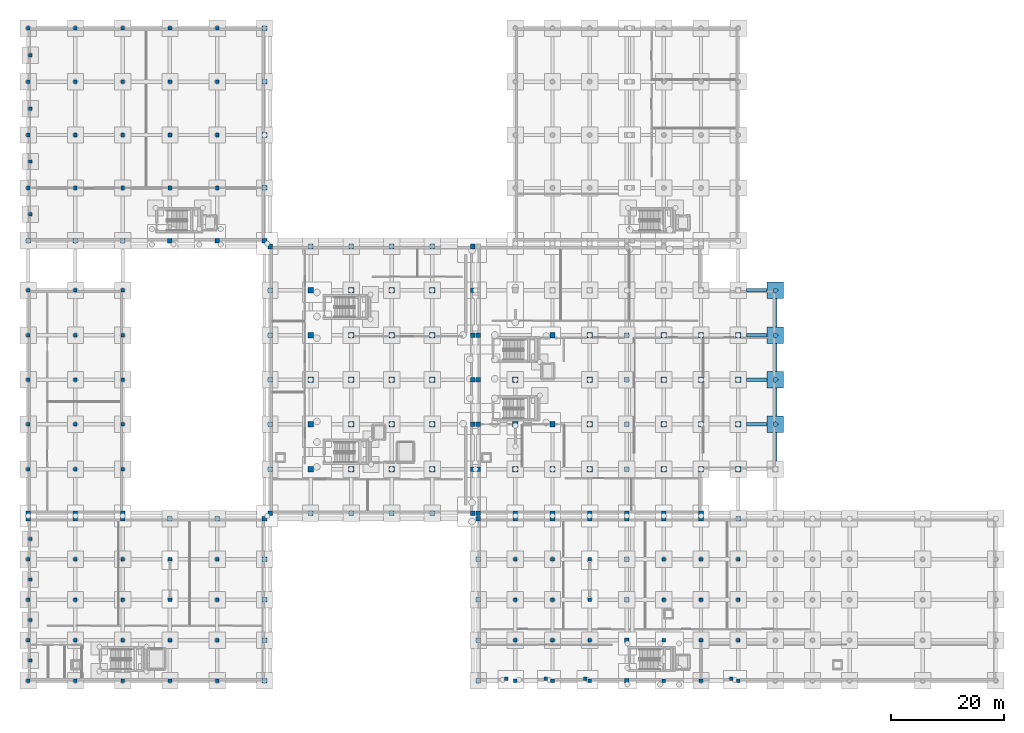
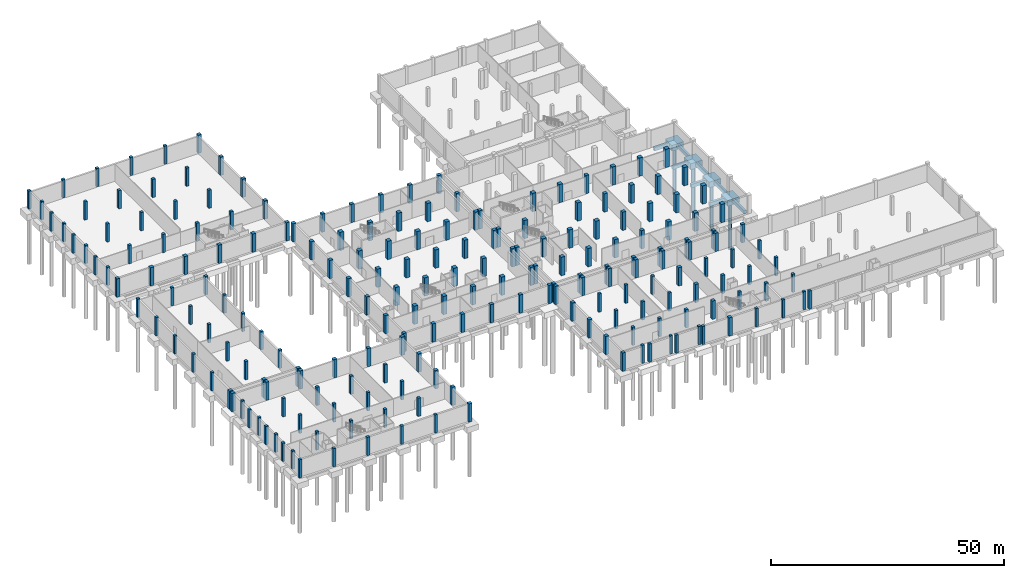
# One storey, part 12 of 29: 209 columns, 12 footings, 4 piles.
"""IFC4 building model written with IfcOpenShell, lengths in metres."""

from ifc_helpers import new_model, si_unit, direction, frame, origin, origin_2d, place, context, subcontext, project, spatial, polyline, rectangle, circle, outline, extrude, material, material_profile, profile_set, type_object, element, save


model = new_model("IFC4")

# Units and contexts
model_context = context("Model", 3, precision=1e-05, world=origin(), true_north=direction((0.0, 1.0)))
body_context = subcontext(model_context, "Body", "Model", "MODEL_VIEW")
ifc_project = project(units=[si_unit("LENGTHUNIT", "METRE"), si_unit("AREAUNIT", "SQUARE_METRE"), si_unit("VOLUMEUNIT", "CUBIC_METRE"), si_unit("PLANEANGLEUNIT", "RADIAN"), si_unit("MASSUNIT", "GRAM", prefix="KILO")], contexts=[model_context])

# Site, building, storey
site_placement = place(None, origin())
site = spatial("IfcSite", under=ifc_project, at=site_placement, CompositionType="ELEMENT")
building_placement = place(site_placement, origin())
building = spatial("IfcBuilding", under=site, at=building_placement, Name="Kelarvand Opera House", CompositionType="ELEMENT")
storey_placement = place(building_placement, frame((0.0, 0.0, -9.60009765625)))
storey = spatial("IfcBuildingStorey", under=building, at=storey_placement, Name="B2", CompositionType="ELEMENT", Elevation=-9.60009765625)

# Piles
ifc_material = material(Name="Concrete C40/50", Category="concrete")
ifc_material_profile_1 = material_profile(ifc_material, circle(Radius=0.449951171875, at=origin_2d()), Name="BP 900", Category="concrete")
ifc_profile_set_1 = profile_set([ifc_material_profile_1], Name="Concrete C40/50")
pile_type = type_object("IfcPileType", Name="Bored Pile 900 Concrete C40/50", PredefinedType="BORED", material=ifc_profile_set_1)
for number, where, z_axis, x_axis, name in (
    (1, (141.800048828125, 54.60009765625, -1.7998046875), (0.0, 0.0, -1.0), (1.0, 0.0, 0.0), "V1 Bored Pile 153"),
    (2, (141.800048828125, 62.5, -1.7998046875), (0.0, 0.0, -1.0), (1.0, 0.0, 0.0), "V1 Bored Pile 175"),
    (3, (141.800048828125, 70.39990234375, -1.7998046875), (0.0, 0.0, -1.0), (1.0, 0.0, 0.0), "V1 Bored Pile 194"),
    (4, (141.800048828125, 78.39990234375, -1.7998046875), (0.0, 0.0, -1.0), (1.0, 0.0, 0.0), "V1 Bored Pile 214"),
):
    element("IfcPile", number, at=place(storey_placement, frame(where, z_axis=z_axis, x_axis=x_axis)), inside=storey, type_object=pile_type, Name=name, PredefinedType="BORED", context=body_context, shape_type="SweptSolid", body=[
        extrude(circle(Radius=0.449951171875, at=origin_2d()), origin(), (0.0, 0.0, 1.0), 12.60009765625),
    ])

# Footings
footing_type_1 = type_object("IfcFootingType", Name="Ground Tie Beam 600x900 Concrete C40/50", PredefinedType="FOOTING_BEAM", material=ifc_material)
footing_1_placement = place(storey_placement, frame((0.0, 0.0, -1.2998046875)))
element("IfcFooting", 5, at=footing_1_placement, inside=storey, type_object=footing_type_1, Name="Ground Beam 141", PredefinedType="FOOTING_BEAM", context=body_context, shape_type="SweptSolid", body=[
    extrude(outline(polyline([(136.64990234375, 54.300048828125), (140.35009765625, 54.300048828125), (140.35009765625, 54.89990234375), (136.64990234375, 54.89990234375), (136.64990234375, 54.300048828125)])), origin(), (0.0, 0.0, 1.0), 0.89990234375),
])
footing_2_placement = place(storey_placement, frame((0.0, 0.0, -1.2998046875)))
element("IfcFooting", 6, at=footing_2_placement, inside=storey, type_object=footing_type_1, Name="Ground Beam 155", PredefinedType="FOOTING_BEAM", context=body_context, shape_type="SweptSolid", body=[
    extrude(outline(polyline([(136.64990234375, 62.199951171875), (140.35009765625, 62.199951171875), (140.35009765625, 62.800048828125), (136.64990234375, 62.800048828125), (136.64990234375, 62.199951171875)])), origin(), (0.0, 0.0, 1.0), 0.89990234375),
])
footing_3_placement = place(storey_placement, frame((0.0, 0.0, -1.2998046875)))
element("IfcFooting", 7, at=footing_3_placement, inside=storey, type_object=footing_type_1, Name="Ground Beam 169", PredefinedType="FOOTING_BEAM", context=body_context, shape_type="SweptSolid", body=[
    extrude(outline(polyline([(136.64990234375, 70.10009765625), (140.35009765625, 70.10009765625), (140.35009765625, 70.699951171875), (136.64990234375, 70.699951171875), (136.64990234375, 70.10009765625)])), origin(), (0.0, 0.0, 1.0), 0.89990234375),
])
footing_4_placement = place(storey_placement, frame((0.0, 0.0, -1.2998046875)))
element("IfcFooting", 8, at=footing_4_placement, inside=storey, type_object=footing_type_1, Name="Ground Beam 184", PredefinedType="FOOTING_BEAM", context=body_context, shape_type="SweptSolid", body=[
    extrude(outline(polyline([(136.64990234375, 78.10009765625), (140.35009765625, 78.10009765625), (140.35009765625, 78.699951171875), (136.64990234375, 78.699951171875), (136.64990234375, 78.10009765625)])), origin(), (0.0, 0.0, 1.0), 0.89990234375),
])
footing_5_placement = place(storey_placement, frame((0.0, 0.0, -1.2998046875)))
element("IfcFooting", 9, at=footing_5_placement, inside=storey, type_object=footing_type_1, Name="Ground Beam 506", PredefinedType="FOOTING_BEAM", context=body_context, shape_type="SweptSolid", body=[
    extrude(outline(polyline([(141.5, 48.050048828125), (142.10009765625, 48.050048828125), (142.10009765625, 53.14990234375), (141.5, 53.14990234375), (141.5, 48.050048828125)])), origin(), (0.0, 0.0, 1.0), 0.89990234375),
])
footing_6_placement = place(storey_placement, frame((0.0, 0.0, -1.2998046875)))
element("IfcFooting", 10, at=footing_6_placement, inside=storey, type_object=footing_type_1, Name="Ground Beam 507", PredefinedType="FOOTING_BEAM", context=body_context, shape_type="SweptSolid", body=[
    extrude(outline(polyline([(141.5, 56.050048828125), (142.10009765625, 56.050048828125), (142.10009765625, 61.050048828125), (141.5, 61.050048828125), (141.5, 56.050048828125)])), origin(), (0.0, 0.0, 1.0), 0.89990234375),
])
footing_7_placement = place(storey_placement, frame((0.0, 0.0, -1.2998046875)))
element("IfcFooting", 11, at=footing_7_placement, inside=storey, type_object=footing_type_1, Name="Ground Beam 508", PredefinedType="FOOTING_BEAM", context=body_context, shape_type="SweptSolid", body=[
    extrude(outline(polyline([(141.5, 63.949951171875), (142.10009765625, 63.949951171875), (142.10009765625, 68.949951171875), (141.5, 68.949951171875), (141.5, 63.949951171875)])), origin(), (0.0, 0.0, 1.0), 0.89990234375),
])
footing_8_placement = place(storey_placement, frame((0.0, 0.0, -1.2998046875)))
element("IfcFooting", 12, at=footing_8_placement, inside=storey, type_object=footing_type_1, Name="Ground Beam 509", PredefinedType="FOOTING_BEAM", context=body_context, shape_type="SweptSolid", body=[
    extrude(outline(polyline([(141.5, 71.85009765625), (142.10009765625, 71.85009765625), (142.10009765625, 76.949951171875), (141.5, 76.949951171875), (141.5, 71.85009765625)])), origin(), (0.0, 0.0, 1.0), 0.89990234375),
])
footing_type_2 = type_object("IfcFootingType", Name="Pile Cap 2900x2900x1500 PC-01", PredefinedType="PILE_CAP", material=ifc_material)
for number, where, z_axis, x_axis, name in (
    (13, (141.800048828125, 54.60009765625, -1.89990234375), (0.0, 0.0, 1.0), (1.0, 0.0, 0.0), "V1 Pile Cap PC-01 (144)"),
    (14, (141.800048828125, 62.5, -1.89990234375), (0.0, 0.0, 1.0), (1.0, 0.0, 0.0), "V1 Pile Cap PC-01 (161)"),
    (15, (141.800048828125, 70.39990234375, -1.89990234375), (0.0, 0.0, 1.0), (1.0, 0.0, 0.0), "V1 Pile Cap PC-01 (178)"),
    (16, (141.800048828125, 78.39990234375, -1.89990234375), (0.0, 0.0, 1.0), (1.0, 0.0, 0.0), "V1 Pile Cap PC-01 (197)"),
):
    element("IfcFooting", number, at=place(storey_placement, frame(where, z_axis=z_axis, x_axis=x_axis)), inside=storey, type_object=footing_type_2, Name=name, PredefinedType="PILE_CAP", context=body_context, shape_type="SweptSolid", body=[
        extrude(rectangle(XDim=2.89990234375, YDim=2.89990234375, at=origin_2d()), origin(), (0.0, 0.0, 1.0), 1.5),
    ])

# Columns
ifc_material_profile_2 = material_profile(ifc_material, rectangle(XDim=0.60009765625, YDim=0.60009765625, at=origin_2d()), Name="RC 600x600", Category="concrete")
ifc_profile_set_2 = profile_set([ifc_material_profile_2], Name="Concrete C40/50")
column_type_1 = type_object("IfcColumnType", Name="Structural Column RC 600x600 (Int) COL-600", PredefinedType="COLUMN", material=ifc_profile_set_2)
for number, where, z_axis, x_axis, name in (
    (17, (9.35009765625, 91.89990234375, 0.0), (0.0, 0.0, 1.0), (1.0, 0.0, 0.0), "V3 Facade Pilaster B2 1"),
    (18, (9.35009765625, 101.300048828125, 0.0), (0.0, 0.0, 1.0), (1.0, 0.0, 0.0), "V3 Facade Pilaster B2 2"),
    (19, (9.35009765625, 110.699951171875, 0.0), (0.0, 0.0, 1.0), (1.0, 0.0, 0.0), "V3 Facade Pilaster B2 3"),
    (20, (9.35009765625, 120.199951171875, 0.0), (0.0, 0.0, 1.0), (1.0, 0.0, 0.0), "V3 Facade Pilaster B2 4"),
    (21, (9.35009765625, 12.60009765625, 0.0), (0.0, 0.0, 1.0), (1.0, 0.0, 0.0), "V4 Facade Pilaster B2 5"),
    (22, (9.35009765625, 19.800048828125, 0.0), (0.0, 0.0, 1.0), (1.0, 0.0, 0.0), "V4 Facade Pilaster B2 6"),
    (23, (9.35009765625, 27.0, 0.0), (0.0, 0.0, 1.0), (1.0, 0.0, 0.0), "V4 Facade Pilaster B2 7"),
    (24, (9.35009765625, 34.199951171875, 0.0), (0.0, 0.0, 1.0), (1.0, 0.0, 0.0), "V4 Facade Pilaster B2 8"),
    (25, (94.0, 9.35009765625, 0.0), (0.0, 0.0, 1.0), (1.0, 0.0, 0.0), "V6 Facade Pilaster B2 9"),
    (26, (101.0, 9.35009765625, 0.0), (0.0, 0.0, 1.0), (1.0, 0.0, 0.0), "V6 Facade Pilaster B2 10"),
    (27, (108.0, 9.35009765625, 0.0), (0.0, 0.0, 1.0), (1.0, 0.0, 0.0), "V6 Facade Pilaster B2 11"),
    (28, (134.0, 9.35009765625, 0.0), (0.0, 0.0, 1.0), (1.0, 0.0, 0.0), "V6 Facade Pilaster B2 12"),
):
    element("IfcColumn", number, at=place(storey_placement, frame(where, z_axis=z_axis, x_axis=x_axis)), inside=storey, type_object=column_type_1, Name=name, PredefinedType="COLUMN", context=body_context, shape_type="SweptSolid", body=[
        extrude(rectangle(XDim=0.60009765625, YDim=0.60009765625, at=origin_2d()), origin(), (0.0, 0.0, 1.0), 4.800048828125),
    ])
ifc_material_profile_3 = material_profile(ifc_material, rectangle(XDim=0.64990234375, YDim=0.64990234375, at=origin_2d()), Name="RC 650x650", Category="concrete")
ifc_profile_set_3 = profile_set([ifc_material_profile_3], Name="Concrete C40/50")
column_type_2 = type_object("IfcColumnType", Name="Structural Column RC 650x650 (Int) COL-650", PredefinedType="COLUMN", material=ifc_profile_set_3)
for number, where, z_axis, x_axis, name in (
    (29, (9.0, 96.60009765625, 0.0), (0.0, 0.0, 1.0), (1.0, 0.0, 0.0), "V3 Column COL-650 at B2"),
    (30, (9.0, 106.0, 0.0), (0.0, 0.0, 1.0), (1.0, 0.0, 0.0), "V3 Column COL-650 at B2"),
    (31, (9.0, 115.5, 0.0), (0.0, 0.0, 1.0), (1.0, 0.0, 0.0), "V3 Column COL-650 at B2"),
    (32, (9.0, 125.0, 0.0), (0.0, 0.0, 1.0), (1.0, 0.0, 0.0), "V3 Column COL-650 at B2"),
    (33, (17.39990234375, 96.60009765625, 0.0), (0.0, 0.0, 1.0), (1.0, 0.0, 0.0), "V3 Column COL-650 at B2"),
    (34, (17.39990234375, 106.0, 0.0), (0.0, 0.0, 1.0), (1.0, 0.0, 0.0), "V3 Column COL-650 at B2"),
    (35, (17.39990234375, 115.5, 0.0), (0.0, 0.0, 1.0), (1.0, 0.0, 0.0), "V3 Column COL-650 at B2"),
    (36, (17.39990234375, 125.0, 0.0), (0.0, 0.0, 1.0), (1.0, 0.0, 0.0), "V3 Column COL-650 at B2"),
    (37, (25.800048828125, 96.60009765625, 0.0), (0.0, 0.0, 1.0), (1.0, 0.0, 0.0), "V3 Column COL-650 at B2"),
    (38, (25.800048828125, 106.0, 0.0), (0.0, 0.0, 1.0), (1.0, 0.0, 0.0), "V3 Column COL-650 at B2"),
    (39, (25.800048828125, 115.5, 0.0), (0.0, 0.0, 1.0), (1.0, 0.0, 0.0), "V3 Column COL-650 at B2"),
    (40, (25.800048828125, 125.0, 0.0), (0.0, 0.0, 1.0), (1.0, 0.0, 0.0), "V3 Column COL-650 at B2"),
    (41, (34.199951171875, 96.60009765625, 0.0), (0.0, 0.0, 1.0), (1.0, 0.0, 0.0), "V3 Column COL-650 at B2"),
    (42, (34.199951171875, 106.0, 0.0), (0.0, 0.0, 1.0), (1.0, 0.0, 0.0), "V3 Column COL-650 at B2"),
    (43, (34.199951171875, 115.5, 0.0), (0.0, 0.0, 1.0), (1.0, 0.0, 0.0), "V3 Column COL-650 at B2"),
    (44, (34.199951171875, 125.0, 0.0), (0.0, 0.0, 1.0), (1.0, 0.0, 0.0), "V3 Column COL-650 at B2"),
    (45, (42.60009765625, 96.60009765625, 0.0), (0.0, 0.0, 1.0), (1.0, 0.0, 0.0), "V3 Column COL-650 at B2"),
    (46, (42.60009765625, 106.0, 0.0), (0.0, 0.0, 1.0), (1.0, 0.0, 0.0), "V3 Column COL-650 at B2"),
    (47, (42.60009765625, 115.5, 0.0), (0.0, 0.0, 1.0), (1.0, 0.0, 0.0), "V3 Column COL-650 at B2"),
    (48, (42.60009765625, 125.0, 0.0), (0.0, 0.0, 1.0), (1.0, 0.0, 0.0), "V3 Column COL-650 at B2"),
    (49, (9.0, 9.0, 0.0), (0.0, 0.0, 1.0), (1.0, 0.0, 0.0), "V4 Column COL-650 at B2"),
    (50, (9.0, 16.199951171875, 0.0), (0.0, 0.0, 1.0), (1.0, 0.0, 0.0), "V4 Column COL-650 at B2"),
    (51, (9.0, 23.39990234375, 0.0), (0.0, 0.0, 1.0), (1.0, 0.0, 0.0), "V4 Column COL-650 at B2"),
    (52, (9.0, 30.60009765625, 0.0), (0.0, 0.0, 1.0), (1.0, 0.0, 0.0), "V4 Column COL-650 at B2"),
    (53, (9.0, 46.60009765625, 0.0), (0.0, 0.0, 1.0), (1.0, 0.0, 0.0), "V4 Column COL-650 at B2"),
    (54, (9.0, 54.60009765625, 0.0), (0.0, 0.0, 1.0), (1.0, 0.0, 0.0), "V4 Column COL-650 at B2"),
    (55, (9.0, 62.5, 0.0), (0.0, 0.0, 1.0), (1.0, 0.0, 0.0), "V4 Column COL-650 at B2"),
    (56, (9.0, 70.39990234375, 0.0), (0.0, 0.0, 1.0), (1.0, 0.0, 0.0), "V4 Column COL-650 at B2"),
    (57, (9.0, 78.39990234375, 0.0), (0.0, 0.0, 1.0), (1.0, 0.0, 0.0), "V4 Column COL-650 at B2"),
    (58, (17.39990234375, 9.0, 0.0), (0.0, 0.0, 1.0), (1.0, 0.0, 0.0), "V4 Column COL-650 at B2"),
    (59, (17.39990234375, 16.199951171875, 0.0), (0.0, 0.0, 1.0), (1.0, 0.0, 0.0), "V4 Column COL-650 at B2"),
    (60, (17.39990234375, 23.39990234375, 0.0), (0.0, 0.0, 1.0), (1.0, 0.0, 0.0), "V4 Column COL-650 at B2"),
    (61, (17.39990234375, 30.60009765625, 0.0), (0.0, 0.0, 1.0), (1.0, 0.0, 0.0), "V4 Column COL-650 at B2"),
    (62, (17.39990234375, 46.60009765625, 0.0), (0.0, 0.0, 1.0), (1.0, 0.0, 0.0), "V4 Column COL-650 at B2"),
    (63, (17.39990234375, 54.60009765625, 0.0), (0.0, 0.0, 1.0), (1.0, 0.0, 0.0), "V4 Column COL-650 at B2"),
    (64, (17.39990234375, 62.5, 0.0), (0.0, 0.0, 1.0), (1.0, 0.0, 0.0), "V4 Column COL-650 at B2"),
    (65, (17.39990234375, 70.39990234375, 0.0), (0.0, 0.0, 1.0), (1.0, 0.0, 0.0), "V4 Column COL-650 at B2"),
    (66, (17.39990234375, 78.39990234375, 0.0), (0.0, 0.0, 1.0), (1.0, 0.0, 0.0), "V4 Column COL-650 at B2"),
    (67, (25.800048828125, 9.0, 0.0), (0.0, 0.0, 1.0), (1.0, 0.0, 0.0), "V4 Column COL-650 at B2"),
    (68, (25.800048828125, 16.199951171875, 0.0), (0.0, 0.0, 1.0), (1.0, 0.0, 0.0), "V4 Column COL-650 at B2"),
    (69, (25.800048828125, 23.39990234375, 0.0), (0.0, 0.0, 1.0), (1.0, 0.0, 0.0), "V4 Column COL-650 at B2"),
    (70, (25.800048828125, 30.60009765625, 0.0), (0.0, 0.0, 1.0), (1.0, 0.0, 0.0), "V4 Column COL-650 at B2"),
    (71, (25.800048828125, 46.60009765625, 0.0), (0.0, 0.0, 1.0), (1.0, 0.0, 0.0), "V4 Column COL-650 at B2"),
    (72, (25.800048828125, 54.60009765625, 0.0), (0.0, 0.0, 1.0), (1.0, 0.0, 0.0), "V4 Column COL-650 at B2"),
    (73, (25.800048828125, 62.5, 0.0), (0.0, 0.0, 1.0), (1.0, 0.0, 0.0), "V4 Column COL-650 at B2"),
    (74, (25.800048828125, 70.39990234375, 0.0), (0.0, 0.0, 1.0), (1.0, 0.0, 0.0), "V4 Column COL-650 at B2"),
    (75, (25.800048828125, 78.39990234375, 0.0), (0.0, 0.0, 1.0), (1.0, 0.0, 0.0), "V4 Column COL-650 at B2"),
    (76, (34.199951171875, 9.0, 0.0), (0.0, 0.0, 1.0), (1.0, 0.0, 0.0), "V4 Column COL-650 at B2"),
    (77, (34.199951171875, 16.199951171875, 0.0), (0.0, 0.0, 1.0), (1.0, 0.0, 0.0), "V4 Column COL-650 at B2"),
    (78, (34.199951171875, 23.39990234375, 0.0), (0.0, 0.0, 1.0), (1.0, 0.0, 0.0), "V4 Column COL-650 at B2"),
    (79, (34.199951171875, 30.60009765625, 0.0), (0.0, 0.0, 1.0), (1.0, 0.0, 0.0), "V4 Column COL-650 at B2"),
    (80, (42.60009765625, 9.0, 0.0), (0.0, 0.0, 1.0), (1.0, 0.0, 0.0), "V4 Column COL-650 at B2"),
    (81, (42.60009765625, 16.199951171875, 0.0), (0.0, 0.0, 1.0), (1.0, 0.0, 0.0), "V4 Column COL-650 at B2"),
    (82, (42.60009765625, 23.39990234375, 0.0), (0.0, 0.0, 1.0), (1.0, 0.0, 0.0), "V4 Column COL-650 at B2"),
    (83, (42.60009765625, 30.60009765625, 0.0), (0.0, 0.0, 1.0), (1.0, 0.0, 0.0), "V4 Column COL-650 at B2"),
    (84, (95.60009765625, 9.0, 0.0), (0.0, 0.0, 1.0), (1.0, 0.0, 0.0), "V6 Column COL-650 at B2"),
    (85, (95.60009765625, 16.199951171875, 0.0), (0.0, 0.0, 1.0), (1.0, 0.0, 0.0), "V6 Column COL-650 at B2"),
    (86, (95.60009765625, 23.39990234375, 0.0), (0.0, 0.0, 1.0), (1.0, 0.0, 0.0), "V6 Column COL-650 at B2"),
    (87, (95.60009765625, 30.60009765625, 0.0), (0.0, 0.0, 1.0), (1.0, 0.0, 0.0), "V6 Column COL-650 at B2"),
    (88, (102.199951171875, 9.0, 0.0), (0.0, 0.0, 1.0), (1.0, 0.0, 0.0), "V6 Column COL-650 at B2"),
    (89, (102.199951171875, 16.199951171875, 0.0), (0.0, 0.0, 1.0), (1.0, 0.0, 0.0), "V6 Column COL-650 at B2"),
    (90, (102.199951171875, 23.39990234375, 0.0), (0.0, 0.0, 1.0), (1.0, 0.0, 0.0), "V6 Column COL-650 at B2"),
    (91, (102.199951171875, 30.60009765625, 0.0), (0.0, 0.0, 1.0), (1.0, 0.0, 0.0), "V6 Column COL-650 at B2"),
    (92, (108.800048828125, 9.0, 0.0), (0.0, 0.0, 1.0), (1.0, 0.0, 0.0), "V6 Column COL-650 at B2"),
    (93, (108.800048828125, 16.199951171875, 0.0), (0.0, 0.0, 1.0), (1.0, 0.0, 0.0), "V6 Column COL-650 at B2"),
    (94, (108.800048828125, 23.39990234375, 0.0), (0.0, 0.0, 1.0), (1.0, 0.0, 0.0), "V6 Column COL-650 at B2"),
    (95, (108.800048828125, 30.60009765625, 0.0), (0.0, 0.0, 1.0), (1.0, 0.0, 0.0), "V6 Column COL-650 at B2"),
    (96, (122.0, 9.0, 0.0), (0.0, 0.0, 1.0), (1.0, 0.0, 0.0), "V6 Column COL-650 at B2"),
    (97, (122.0, 16.199951171875, 0.0), (0.0, 0.0, 1.0), (1.0, 0.0, 0.0), "V6 Column COL-650 at B2"),
    (98, (122.0, 23.39990234375, 0.0), (0.0, 0.0, 1.0), (1.0, 0.0, 0.0), "V6 Column COL-650 at B2"),
    (99, (122.0, 30.60009765625, 0.0), (0.0, 0.0, 1.0), (1.0, 0.0, 0.0), "V6 Column COL-650 at B2"),
    (100, (128.60009765625, 9.0, 0.0), (0.0, 0.0, 1.0), (1.0, 0.0, 0.0), "V6 Column COL-650 at B2"),
    (101, (128.60009765625, 16.199951171875, 0.0), (0.0, 0.0, 1.0), (1.0, 0.0, 0.0), "V6 Column COL-650 at B2"),
    (102, (128.60009765625, 23.39990234375, 0.0), (0.0, 0.0, 1.0), (1.0, 0.0, 0.0), "V6 Column COL-650 at B2"),
    (103, (128.60009765625, 30.60009765625, 0.0), (0.0, 0.0, 1.0), (1.0, 0.0, 0.0), "V6 Column COL-650 at B2"),
    (104, (135.199951171875, 9.0, 0.0), (0.0, 0.0, 1.0), (1.0, 0.0, 0.0), "V6 Column COL-650 at B2"),
    (105, (135.199951171875, 16.199951171875, 0.0), (0.0, 0.0, 1.0), (1.0, 0.0, 0.0), "V6 Column COL-650 at B2"),
    (106, (135.199951171875, 23.39990234375, 0.0), (0.0, 0.0, 1.0), (1.0, 0.0, 0.0), "V6 Column COL-650 at B2"),
    (107, (135.199951171875, 30.60009765625, 0.0), (0.0, 0.0, 1.0), (1.0, 0.0, 0.0), "V6 Column COL-650 at B2"),
):
    element("IfcColumn", number, at=place(storey_placement, frame(where, z_axis=z_axis, x_axis=x_axis)), inside=storey, type_object=column_type_2, Name=name, PredefinedType="COLUMN", context=body_context, shape_type="SweptSolid", body=[
        extrude(rectangle(XDim=0.64990234375, YDim=0.64990234375, at=origin_2d()), origin(), (0.0, 0.0, 1.0), 4.800048828125),
    ])
ifc_material_profile_4 = material_profile(ifc_material, rectangle(XDim=0.820068359375, YDim=0.820068359375, at=origin_2d()), Name="RC 820x820", Category="concrete")
ifc_profile_set_4 = profile_set([ifc_material_profile_4], Name="Concrete C40/50")
column_type_3 = type_object("IfcColumnType", Name="Structural Column RC 820x820 (Int) COL-820", PredefinedType="COLUMN", material=ifc_profile_set_4)
for number, where, z_axis, x_axis, name in (
    (108, (89.0, 38.800048828125, 0.0), (0.0, 0.0, 1.0), (1.0, 0.0, 0.0), "V1 Column COL-820 at B2"),
    (109, (89.0, 46.60009765625, 0.0), (0.0, 0.0, 1.0), (1.0, 0.0, 0.0), "V1 Column COL-820 at B2"),
    (110, (89.0, 54.60009765625, 0.0), (0.0, 0.0, 1.0), (1.0, 0.0, 0.0), "V1 Column COL-820 at B2"),
    (111, (89.0, 62.5, 0.0), (0.0, 0.0, 1.0), (1.0, 0.0, 0.0), "V1 Column COL-820 at B2"),
    (112, (89.0, 70.39990234375, 0.0), (0.0, 0.0, 1.0), (1.0, 0.0, 0.0), "V1 Column COL-820 at B2"),
    (113, (95.60009765625, 38.800048828125, 0.0), (0.0, 0.0, 1.0), (1.0, 0.0, 0.0), "V1 Column COL-820 at B2"),
    (114, (102.199951171875, 38.800048828125, 0.0), (0.0, 0.0, 1.0), (1.0, 0.0, 0.0), "V1 Column COL-820 at B2"),
    (115, (108.800048828125, 38.800048828125, 0.0), (0.0, 0.0, 1.0), (1.0, 0.0, 0.0), "V1 Column COL-820 at B2"),
    (116, (115.39990234375, 38.800048828125, 0.0), (0.0, 0.0, 1.0), (1.0, 0.0, 0.0), "V1 Column COL-820 at B2"),
    (117, (115.39990234375, 46.60009765625, 0.0), (0.0, 0.0, 1.0), (1.0, 0.0, 0.0), "V1 Column COL-820 at B2"),
    (118, (115.39990234375, 54.60009765625, 0.0), (0.0, 0.0, 1.0), (1.0, 0.0, 0.0), "V1 Column COL-820 at B2"),
    (119, (115.39990234375, 62.5, 0.0), (0.0, 0.0, 1.0), (1.0, 0.0, 0.0), "V1 Column COL-820 at B2"),
    (120, (115.39990234375, 70.39990234375, 0.0), (0.0, 0.0, 1.0), (1.0, 0.0, 0.0), "V1 Column COL-820 at B2"),
    (121, (122.0, 38.800048828125, 0.0), (0.0, 0.0, 1.0), (1.0, 0.0, 0.0), "V1 Column COL-820 at B2"),
    (122, (128.60009765625, 38.800048828125, 0.0), (0.0, 0.0, 1.0), (1.0, 0.0, 0.0), "V1 Column COL-820 at B2"),
    (123, (52.0, 38.800048828125, 0.0), (0.0, 0.0, 1.0), (1.0, 0.0, 0.0), "V2 Column COL-820 at B2"),
    (124, (52.0, 46.60009765625, 0.0), (0.0, 0.0, 1.0), (1.0, 0.0, 0.0), "V2 Column COL-820 at B2"),
    (125, (52.0, 54.60009765625, 0.0), (0.0, 0.0, 1.0), (1.0, 0.0, 0.0), "V2 Column COL-820 at B2"),
    (126, (52.0, 62.5, 0.0), (0.0, 0.0, 1.0), (1.0, 0.0, 0.0), "V2 Column COL-820 at B2"),
    (127, (52.0, 70.39990234375, 0.0), (0.0, 0.0, 1.0), (1.0, 0.0, 0.0), "V2 Column COL-820 at B2"),
    (128, (52.0, 78.39990234375, 0.0), (0.0, 0.0, 1.0), (1.0, 0.0, 0.0), "V2 Column COL-820 at B2"),
    (129, (52.0, 86.199951171875, 0.0), (0.0, 0.0, 1.0), (1.0, 0.0, 0.0), "V2 Column COL-820 at B2"),
    (130, (59.199951171875, 38.800048828125, 0.0), (0.0, 0.0, 1.0), (1.0, 0.0, 0.0), "V2 Column COL-820 at B2"),
    (131, (59.199951171875, 86.199951171875, 0.0), (0.0, 0.0, 1.0), (1.0, 0.0, 0.0), "V2 Column COL-820 at B2"),
    (132, (66.39990234375, 38.800048828125, 0.0), (0.0, 0.0, 1.0), (1.0, 0.0, 0.0), "V2 Column COL-820 at B2"),
    (133, (66.39990234375, 86.199951171875, 0.0), (0.0, 0.0, 1.0), (1.0, 0.0, 0.0), "V2 Column COL-820 at B2"),
    (134, (73.60009765625, 38.800048828125, 0.0), (0.0, 0.0, 1.0), (1.0, 0.0, 0.0), "V2 Column COL-820 at B2"),
    (135, (73.60009765625, 86.199951171875, 0.0), (0.0, 0.0, 1.0), (1.0, 0.0, 0.0), "V2 Column COL-820 at B2"),
    (136, (80.800048828125, 38.800048828125, 0.0), (0.0, 0.0, 1.0), (1.0, 0.0, 0.0), "V2 Column COL-820 at B2"),
    (137, (80.800048828125, 86.199951171875, 0.0), (0.0, 0.0, 1.0), (1.0, 0.0, 0.0), "V2 Column COL-820 at B2"),
    (138, (88.0, 38.800048828125, 0.0), (0.0, 0.0, 1.0), (1.0, 0.0, 0.0), "V2 Column COL-820 at B2"),
    (139, (88.0, 46.60009765625, 0.0), (0.0, 0.0, 1.0), (1.0, 0.0, 0.0), "V2 Column COL-820 at B2"),
    (140, (88.0, 54.60009765625, 0.0), (0.0, 0.0, 1.0), (1.0, 0.0, 0.0), "V2 Column COL-820 at B2"),
    (141, (88.0, 62.5, 0.0), (0.0, 0.0, 1.0), (1.0, 0.0, 0.0), "V2 Column COL-820 at B2"),
    (142, (88.0, 70.39990234375, 0.0), (0.0, 0.0, 1.0), (1.0, 0.0, 0.0), "V2 Column COL-820 at B2"),
    (143, (88.0, 78.39990234375, 0.0), (0.0, 0.0, 1.0), (1.0, 0.0, 0.0), "V2 Column COL-820 at B2"),
    (144, (88.0, 86.199951171875, 0.0), (0.0, 0.0, 1.0), (1.0, 0.0, 0.0), "V2 Column COL-820 at B2"),
    (145, (9.0, 87.199951171875, 0.0), (0.0, 0.0, 1.0), (1.0, 0.0, 0.0), "V3 Column COL-820 at B2"),
    (146, (17.39990234375, 87.199951171875, 0.0), (0.0, 0.0, 1.0), (1.0, 0.0, 0.0), "V3 Column COL-820 at B2"),
    (147, (25.800048828125, 87.199951171875, 0.0), (0.0, 0.0, 1.0), (1.0, 0.0, 0.0), "V3 Column COL-820 at B2"),
    (148, (34.199951171875, 87.199951171875, 0.0), (0.0, 0.0, 1.0), (1.0, 0.0, 0.0), "V3 Column COL-820 at B2"),
    (149, (42.60009765625, 87.199951171875, 0.0), (0.0, 0.0, 1.0), (1.0, 0.0, 0.0), "V3 Column COL-820 at B2"),
    (150, (51.0, 87.199951171875, 0.0), (0.0, 0.0, 1.0), (1.0, 0.0, 0.0), "V3 Column COL-820 at B2"),
    (151, (51.0, 96.60009765625, 0.0), (0.0, 0.0, 1.0), (1.0, 0.0, 0.0), "V3 Column COL-820 at B2"),
    (152, (51.0, 106.0, 0.0), (0.0, 0.0, 1.0), (1.0, 0.0, 0.0), "V3 Column COL-820 at B2"),
    (153, (51.0, 115.5, 0.0), (0.0, 0.0, 1.0), (1.0, 0.0, 0.0), "V3 Column COL-820 at B2"),
    (154, (51.0, 125.0, 0.0), (0.0, 0.0, 1.0), (1.0, 0.0, 0.0), "V3 Column COL-820 at B2"),
    (155, (9.0, 37.800048828125, 0.0), (0.0, 0.0, 1.0), (1.0, 0.0, 0.0), "V4 Column COL-820 at B2"),
    (156, (9.0, 38.800048828125, 0.0), (0.0, 0.0, 1.0), (1.0, 0.0, 0.0), "V4 Column COL-820 at B2"),
    (157, (17.39990234375, 37.800048828125, 0.0), (0.0, 0.0, 1.0), (1.0, 0.0, 0.0), "V4 Column COL-820 at B2"),
    (158, (17.39990234375, 38.800048828125, 0.0), (0.0, 0.0, 1.0), (1.0, 0.0, 0.0), "V4 Column COL-820 at B2"),
    (159, (25.800048828125, 37.800048828125, 0.0), (0.0, 0.0, 1.0), (1.0, 0.0, 0.0), "V4 Column COL-820 at B2"),
    (160, (25.800048828125, 38.800048828125, 0.0), (0.0, 0.0, 1.0), (1.0, 0.0, 0.0), "V4 Column COL-820 at B2"),
    (161, (34.199951171875, 37.800048828125, 0.0), (0.0, 0.0, 1.0), (1.0, 0.0, 0.0), "V4 Column COL-820 at B2"),
    (162, (42.60009765625, 37.800048828125, 0.0), (0.0, 0.0, 1.0), (1.0, 0.0, 0.0), "V4 Column COL-820 at B2"),
    (163, (51.0, 9.0, 0.0), (0.0, 0.0, 1.0), (1.0, 0.0, 0.0), "V4 Column COL-820 at B2"),
    (164, (51.0, 16.199951171875, 0.0), (0.0, 0.0, 1.0), (1.0, 0.0, 0.0), "V4 Column COL-820 at B2"),
    (165, (51.0, 23.39990234375, 0.0), (0.0, 0.0, 1.0), (1.0, 0.0, 0.0), "V4 Column COL-820 at B2"),
    (166, (51.0, 30.60009765625, 0.0), (0.0, 0.0, 1.0), (1.0, 0.0, 0.0), "V4 Column COL-820 at B2"),
    (167, (51.0, 37.800048828125, 0.0), (0.0, 0.0, 1.0), (1.0, 0.0, 0.0), "V4 Column COL-820 at B2"),
    (168, (89.0, 9.0, 0.0), (0.0, 0.0, 1.0), (1.0, 0.0, 0.0), "V6 Column COL-820 at B2"),
    (169, (89.0, 16.199951171875, 0.0), (0.0, 0.0, 1.0), (1.0, 0.0, 0.0), "V6 Column COL-820 at B2"),
    (170, (89.0, 23.39990234375, 0.0), (0.0, 0.0, 1.0), (1.0, 0.0, 0.0), "V6 Column COL-820 at B2"),
    (171, (89.0, 30.60009765625, 0.0), (0.0, 0.0, 1.0), (1.0, 0.0, 0.0), "V6 Column COL-820 at B2"),
    (172, (89.0, 37.800048828125, 0.0), (0.0, 0.0, 1.0), (1.0, 0.0, 0.0), "V6 Column COL-820 at B2"),
    (173, (95.60009765625, 37.800048828125, 0.0), (0.0, 0.0, 1.0), (1.0, 0.0, 0.0), "V6 Column COL-820 at B2"),
    (174, (102.199951171875, 37.800048828125, 0.0), (0.0, 0.0, 1.0), (1.0, 0.0, 0.0), "V6 Column COL-820 at B2"),
    (175, (108.800048828125, 37.800048828125, 0.0), (0.0, 0.0, 1.0), (1.0, 0.0, 0.0), "V6 Column COL-820 at B2"),
    (176, (115.39990234375, 9.0, 0.0), (0.0, 0.0, 1.0), (1.0, 0.0, 0.0), "V6 Column COL-820 at B2"),
    (177, (115.39990234375, 16.199951171875, 0.0), (0.0, 0.0, 1.0), (1.0, 0.0, 0.0), "V6 Column COL-820 at B2"),
    (178, (115.39990234375, 23.39990234375, 0.0), (0.0, 0.0, 1.0), (1.0, 0.0, 0.0), "V6 Column COL-820 at B2"),
    (179, (115.39990234375, 30.60009765625, 0.0), (0.0, 0.0, 1.0), (1.0, 0.0, 0.0), "V6 Column COL-820 at B2"),
    (180, (115.39990234375, 37.800048828125, 0.0), (0.0, 0.0, 1.0), (1.0, 0.0, 0.0), "V6 Column COL-820 at B2"),
    (181, (122.0, 37.800048828125, 0.0), (0.0, 0.0, 1.0), (1.0, 0.0, 0.0), "V6 Column COL-820 at B2"),
    (182, (128.60009765625, 37.800048828125, 0.0), (0.0, 0.0, 1.0), (1.0, 0.0, 0.0), "V6 Column COL-820 at B2"),
    (183, (135.199951171875, 37.800048828125, 0.0), (0.0, 0.0, 1.0), (1.0, 0.0, 0.0), "V6 Column COL-820 at B2"),
):
    element("IfcColumn", number, at=place(storey_placement, frame(where, z_axis=z_axis, x_axis=x_axis)), inside=storey, type_object=column_type_3, Name=name, PredefinedType="COLUMN", context=body_context, shape_type="SweptSolid", body=[
        extrude(rectangle(XDim=0.820068359375, YDim=0.820068359375, at=origin_2d()), origin(), (0.0, 0.0, 1.0), 4.800048828125),
    ])
ifc_material_profile_5 = material_profile(ifc_material, rectangle(XDim=0.949951171875, YDim=0.949951171875, at=origin_2d()), Name="RC 950x950", Category="concrete")
ifc_profile_set_5 = profile_set([ifc_material_profile_5], Name="Concrete C40/50")
column_type_4 = type_object("IfcColumnType", Name="Structural Column RC 950x950 (Int) COL-950", PredefinedType="COLUMN", material=ifc_profile_set_5)
for number, where, z_axis, x_axis, name in (
    (184, (95.60009765625, 46.60009765625, 0.0), (0.0, 0.0, 1.0), (1.0, 0.0, 0.0), "V1 Column COL-950 at B2"),
    (185, (95.60009765625, 54.60009765625, 0.0), (0.0, 0.0, 1.0), (1.0, 0.0, 0.0), "V1 Column COL-950 at B2"),
    (186, (95.60009765625, 62.5, 0.0), (0.0, 0.0, 1.0), (1.0, 0.0, 0.0), "V1 Column COL-950 at B2"),
    (187, (102.199951171875, 46.60009765625, 0.0), (0.0, 0.0, 1.0), (1.0, 0.0, 0.0), "V1 Column COL-950 at B2"),
    (188, (102.199951171875, 54.60009765625, 0.0), (0.0, 0.0, 1.0), (1.0, 0.0, 0.0), "V1 Column COL-950 at B2"),
    (189, (102.199951171875, 70.39990234375, 0.0), (0.0, 0.0, 1.0), (1.0, 0.0, 0.0), "V1 Column COL-950 at B2"),
    (190, (108.800048828125, 46.60009765625, 0.0), (0.0, 0.0, 1.0), (1.0, 0.0, 0.0), "V1 Column COL-950 at B2"),
    (191, (108.800048828125, 54.60009765625, 0.0), (0.0, 0.0, 1.0), (1.0, 0.0, 0.0), "V1 Column COL-950 at B2"),
    (192, (108.800048828125, 62.5, 0.0), (0.0, 0.0, 1.0), (1.0, 0.0, 0.0), "V1 Column COL-950 at B2"),
    (193, (108.800048828125, 70.39990234375, 0.0), (0.0, 0.0, 1.0), (1.0, 0.0, 0.0), "V1 Column COL-950 at B2"),
    (194, (122.0, 46.60009765625, 0.0), (0.0, 0.0, 1.0), (1.0, 0.0, 0.0), "V1 Column COL-950 at B2"),
    (195, (122.0, 54.60009765625, 0.0), (0.0, 0.0, 1.0), (1.0, 0.0, 0.0), "V1 Column COL-950 at B2"),
    (196, (122.0, 62.5, 0.0), (0.0, 0.0, 1.0), (1.0, 0.0, 0.0), "V1 Column COL-950 at B2"),
    (197, (122.0, 70.39990234375, 0.0), (0.0, 0.0, 1.0), (1.0, 0.0, 0.0), "V1 Column COL-950 at B2"),
    (198, (128.60009765625, 46.60009765625, 0.0), (0.0, 0.0, 1.0), (1.0, 0.0, 0.0), "V1 Column COL-950 at B2"),
    (199, (128.60009765625, 54.60009765625, 0.0), (0.0, 0.0, 1.0), (1.0, 0.0, 0.0), "V1 Column COL-950 at B2"),
    (200, (128.60009765625, 62.5, 0.0), (0.0, 0.0, 1.0), (1.0, 0.0, 0.0), "V1 Column COL-950 at B2"),
    (201, (128.60009765625, 70.39990234375, 0.0), (0.0, 0.0, 1.0), (1.0, 0.0, 0.0), "V1 Column COL-950 at B2"),
    (202, (135.199951171875, 46.60009765625, 0.0), (0.0, 0.0, 1.0), (1.0, 0.0, 0.0), "V1 Column COL-950 at B2"),
    (203, (135.199951171875, 54.60009765625, 0.0), (0.0, 0.0, 1.0), (1.0, 0.0, 0.0), "V1 Column COL-950 at B2"),
    (204, (135.199951171875, 62.5, 0.0), (0.0, 0.0, 1.0), (1.0, 0.0, 0.0), "V1 Column COL-950 at B2"),
    (205, (135.199951171875, 70.39990234375, 0.0), (0.0, 0.0, 1.0), (1.0, 0.0, 0.0), "V1 Column COL-950 at B2"),
    (206, (59.199951171875, 46.60009765625, 0.0), (0.0, 0.0, 1.0), (1.0, 0.0, 0.0), "V2 Column COL-950 at B2"),
    (207, (59.199951171875, 54.60009765625, 0.0), (0.0, 0.0, 1.0), (1.0, 0.0, 0.0), "V2 Column COL-950 at B2"),
    (208, (59.199951171875, 62.5, 0.0), (0.0, 0.0, 1.0), (1.0, 0.0, 0.0), "V2 Column COL-950 at B2"),
    (209, (59.199951171875, 70.39990234375, 0.0), (0.0, 0.0, 1.0), (1.0, 0.0, 0.0), "V2 Column COL-950 at B2"),
    (210, (59.199951171875, 78.39990234375, 0.0), (0.0, 0.0, 1.0), (1.0, 0.0, 0.0), "V2 Column COL-950 at B2"),
    (211, (66.39990234375, 46.60009765625, 0.0), (0.0, 0.0, 1.0), (1.0, 0.0, 0.0), "V2 Column COL-950 at B2"),
    (212, (66.39990234375, 54.60009765625, 0.0), (0.0, 0.0, 1.0), (1.0, 0.0, 0.0), "V2 Column COL-950 at B2"),
    (213, (66.39990234375, 62.5, 0.0), (0.0, 0.0, 1.0), (1.0, 0.0, 0.0), "V2 Column COL-950 at B2"),
    (214, (66.39990234375, 70.39990234375, 0.0), (0.0, 0.0, 1.0), (1.0, 0.0, 0.0), "V2 Column COL-950 at B2"),
    (215, (66.39990234375, 78.39990234375, 0.0), (0.0, 0.0, 1.0), (1.0, 0.0, 0.0), "V2 Column COL-950 at B2"),
    (216, (73.60009765625, 46.60009765625, 0.0), (0.0, 0.0, 1.0), (1.0, 0.0, 0.0), "V2 Column COL-950 at B2"),
    (217, (73.60009765625, 54.60009765625, 0.0), (0.0, 0.0, 1.0), (1.0, 0.0, 0.0), "V2 Column COL-950 at B2"),
    (218, (73.60009765625, 62.5, 0.0), (0.0, 0.0, 1.0), (1.0, 0.0, 0.0), "V2 Column COL-950 at B2"),
    (219, (73.60009765625, 70.39990234375, 0.0), (0.0, 0.0, 1.0), (1.0, 0.0, 0.0), "V2 Column COL-950 at B2"),
    (220, (73.60009765625, 78.39990234375, 0.0), (0.0, 0.0, 1.0), (1.0, 0.0, 0.0), "V2 Column COL-950 at B2"),
    (221, (80.800048828125, 46.60009765625, 0.0), (0.0, 0.0, 1.0), (1.0, 0.0, 0.0), "V2 Column COL-950 at B2"),
    (222, (80.800048828125, 54.60009765625, 0.0), (0.0, 0.0, 1.0), (1.0, 0.0, 0.0), "V2 Column COL-950 at B2"),
    (223, (80.800048828125, 62.5, 0.0), (0.0, 0.0, 1.0), (1.0, 0.0, 0.0), "V2 Column COL-950 at B2"),
    (224, (80.800048828125, 70.39990234375, 0.0), (0.0, 0.0, 1.0), (1.0, 0.0, 0.0), "V2 Column COL-950 at B2"),
    (225, (80.800048828125, 78.39990234375, 0.0), (0.0, 0.0, 1.0), (1.0, 0.0, 0.0), "V2 Column COL-950 at B2"),
):
    element("IfcColumn", number, at=place(storey_placement, frame(where, z_axis=z_axis, x_axis=x_axis)), inside=storey, type_object=column_type_4, Name=name, PredefinedType="COLUMN", context=body_context, shape_type="SweptSolid", body=[
        extrude(rectangle(XDim=0.949951171875, YDim=0.949951171875, at=origin_2d()), origin(), (0.0, 0.0, 1.0), 4.800048828125),
    ])

save(model, "model.ifc")
